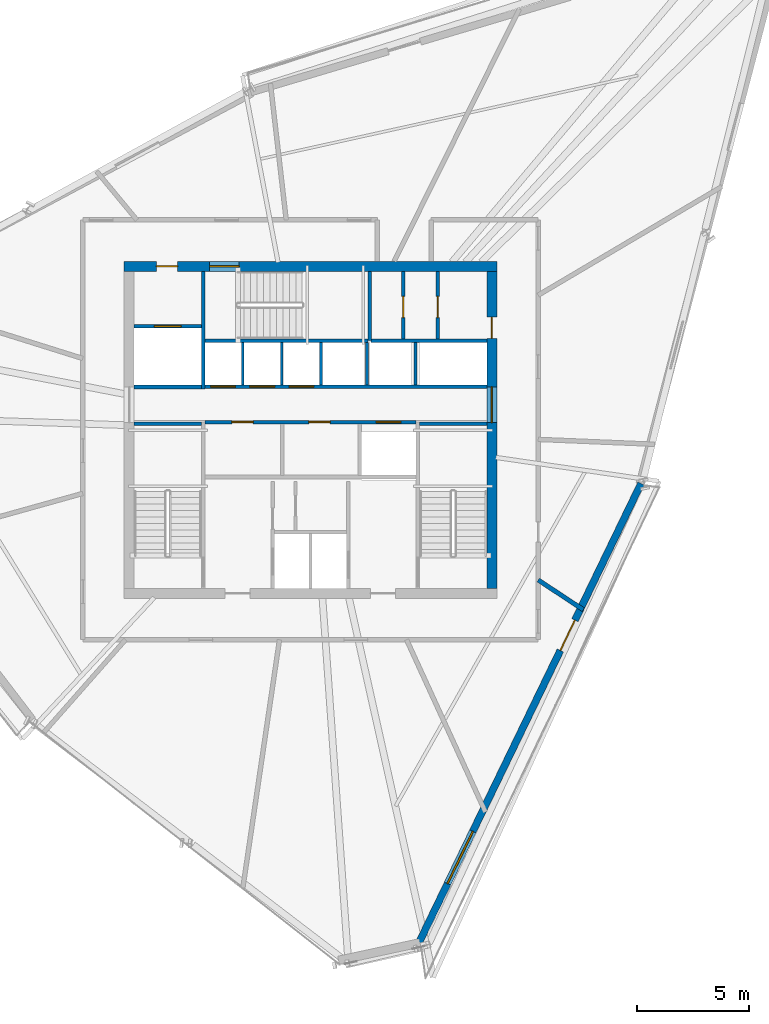
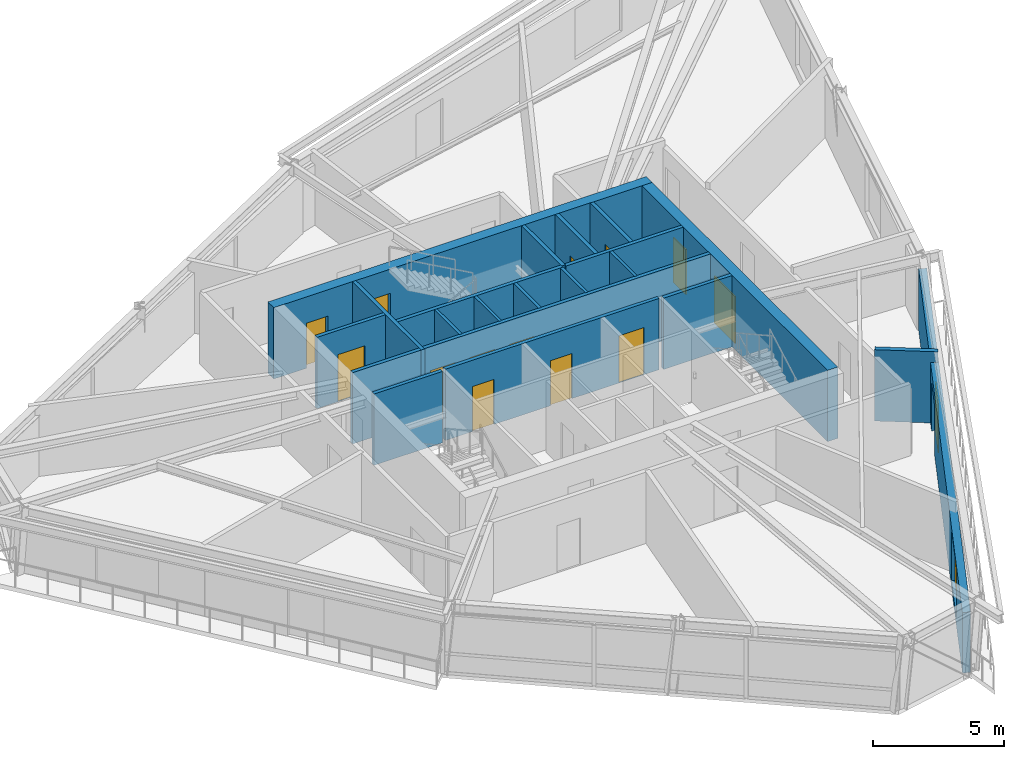
# One storey, part 9 of 14: 21 walls, 14 doors, 1 window, 15 openings.
"""IFC4 building model written with IfcOpenShell, lengths in metres."""

import ifcopenshell
import ifcopenshell.guid

model = None  # the IFC model being written
_history = None  # IfcOwnerHistory: only IFC2X3 demands one
_inside = {}  # id of a spatial element -> (the spatial element, [elements in it])
_under = {}  # id of a project, library or spatial element -> (it, [spatial elements below it])
_declared = {}  # id of a project -> (the project, [libraries it declares])
_typed = {}  # id of a type object -> (the type object, [elements of that type])
_made_of = {}  # id of a material, layer set ... -> (it, [elements and type objects made of it])


def new_model(schema):
    """Start an empty IFC model of exactly this schema.

    Asked for "IFC4X3", IfcOpenShell would pick the latest addendum, in which some entities
    have other attributes; the version numbers below select the first issue.
    IFC2X3 requires an IfcOwnerHistory on every rooted entity: one is made here for all.
    """
    global model, _history
    if schema == "IFC4X3":
        model = ifcopenshell.file(schema_version=(4, 3, 0, 0))
    else:
        model = ifcopenshell.file(schema=schema)
    _inside.clear()
    _under.clear()
    _declared.clear()
    _typed.clear()
    _made_of.clear()
    _history = None
    if model.schema == "IFC2X3":
        org = make("IfcOrganization", Name="unknown")
        user = make(
            "IfcPersonAndOrganization",
            ThePerson=make("IfcPerson", FamilyName="unknown"),
            TheOrganization=org,
        )
        app = make(
            "IfcApplication",
            ApplicationDeveloper=org,
            Version="unknown",
            ApplicationFullName="unknown",
            ApplicationIdentifier="unknown",
        )
        _history = make(
            "IfcOwnerHistory",
            OwningUser=user,
            OwningApplication=app,
            ChangeAction="ADDED",
            CreationDate=0,
        )
    return model


def make(cls, **values):
    """One entity of the class cls with the attributes given. An attribute that is None is left unset."""
    return model.create_entity(
        cls, **{name: value for name, value in values.items() if value is not None}
    )


def rooted(cls, **values):
    """An entity with a GlobalId (a new one), such as an element, a storey or a relation."""
    return make(cls, GlobalId=ifcopenshell.guid.new(), OwnerHistory=_history, **values)


def si_unit(unit_type, name, prefix=None):
    """IfcSIUnit, for example si_unit("LENGTHUNIT", "METRE", prefix="MILLI")."""
    return make("IfcSIUnit", UnitType=unit_type, Prefix=prefix, Name=name)


def assignment(units):
    """IfcUnitAssignment: the units of a project."""
    return None if units is None else make("IfcUnitAssignment", Units=units)


def point(xyz):
    """IfcCartesianPoint."""
    return None if xyz is None else make("IfcCartesianPoint", Coordinates=xyz)


def direction(xyz):
    """IfcDirection."""
    return None if xyz is None else make("IfcDirection", DirectionRatios=xyz)


def frame(location, z_axis=None, x_axis=None):
    """IfcAxis2Placement3D, a coordinate frame: its origin and axes. An axis left out is left unset."""
    return make(
        "IfcAxis2Placement3D",
        Location=point(location),
        Axis=direction(z_axis),
        RefDirection=direction(x_axis),
    )


def frame_2d(location, x_axis=None):
    """IfcAxis2Placement2D, a coordinate frame in the plane: its origin and x axis."""
    return make(
        "IfcAxis2Placement2D", Location=point(location), RefDirection=direction(x_axis)
    )


def origin():
    """The frame at (0, 0, 0) with its axes left unset."""
    return frame((0.0, 0.0, 0.0))


def place(relative_to, where):
    """IfcLocalPlacement: puts the frame where relative to a parent placement (None: the world)."""
    return make(
        "IfcLocalPlacement", PlacementRelTo=relative_to, RelativePlacement=where
    )


def context(
    kind, dimensions, precision=None, world=None, true_north=None, identifier=None
):
    """IfcGeometricRepresentationContext, for example the 3D "Model" context."""
    return make(
        "IfcGeometricRepresentationContext",
        ContextIdentifier=identifier,
        ContextType=kind,
        CoordinateSpaceDimension=dimensions,
        Precision=precision,
        WorldCoordinateSystem=world,
        TrueNorth=true_north,
    )


def subcontext(parent, identifier, kind, view, scale=None):
    """IfcGeometricRepresentationSubContext, for example "Body" below "Model"."""
    return make(
        "IfcGeometricRepresentationSubContext",
        ContextIdentifier=identifier,
        ContextType=kind,
        ParentContext=parent,
        TargetScale=scale,
        TargetView=view,
    )


def project(units=None, contexts=None):
    """IfcProject with its units and contexts."""
    return rooted(
        "IfcProject",
        Name="project",
        RepresentationContexts=contexts,
        UnitsInContext=assignment(units),
    )


def spatial(cls, under=None, at=None, **own):
    """A site, building, storey or space (cls), placed at a placement, below another one or the project."""
    s = rooted(cls, ObjectPlacement=at, **own)
    if under is not None:
        _under.setdefault(under.id(), (under, []))[1].append(s)
    return s


def profile(cls, at=None, kind="AREA", **sizes):
    """A parametric profile (cls). Its sizes go by their IFC names, for example OverallWidth=200.0."""
    return make(cls, ProfileType=kind, Position=at, **sizes)


def rectangle(**sizes):
    """IfcRectangleProfileDef."""
    return profile("IfcRectangleProfileDef", **sizes)


def extrude(swept, where, along, depth):
    """IfcExtrudedAreaSolid: the profile swept, set in the frame where, extruded along a direction by depth."""
    return make(
        "IfcExtrudedAreaSolid",
        SweptArea=swept,
        Position=where,
        ExtrudedDirection=direction(along),
        Depth=depth,
    )


def shape(context_of_items, identifier, shape_type, items):
    """IfcShapeRepresentation: the items that make up one representation, for example the "Body"."""
    return make(
        "IfcShapeRepresentation",
        ContextOfItems=context_of_items,
        RepresentationIdentifier=identifier,
        RepresentationType=shape_type,
        Items=items,
    )


def source(mapping_origin, context_of_items, identifier, shape_type, items):
    """IfcRepresentationMap: a shape defined once, which mapped items show again and again."""
    return make(
        "IfcRepresentationMap",
        MappingOrigin=mapping_origin,
        MappedRepresentation=shape(context_of_items, identifier, shape_type, items),
    )


def transform(
    local_origin,
    x_axis=None,
    y_axis=None,
    z_axis=None,
    scale=None,
    scale2=None,
    scale3=None,
    uniform=True,
):
    """IfcCartesianTransformationOperator3D, or its non-uniform kind. x_axis, y_axis, z_axis: its Axis1, 2, 3."""
    if uniform:
        return make(
            "IfcCartesianTransformationOperator3D",
            Axis1=direction(x_axis),
            Axis2=direction(y_axis),
            LocalOrigin=point(local_origin),
            Scale=scale,
            Axis3=direction(z_axis),
        )
    return make(
        "IfcCartesianTransformationOperator3DnonUniform",
        Axis1=direction(x_axis),
        Axis2=direction(y_axis),
        LocalOrigin=point(local_origin),
        Scale=scale,
        Axis3=direction(z_axis),
        Scale2=scale2,
        Scale3=scale3,
    )


def mapped(mapping_source, mapping_target):
    """IfcMappedItem: shows the shape of a source again, moved by a transform."""
    return make(
        "IfcMappedItem", MappingSource=mapping_source, MappingTarget=mapping_target
    )


def material(Name=None, Category=None):
    """IfcMaterial."""
    return make("IfcMaterial", Name=Name, Category=Category)


def layer(
    of_material, thickness, ventilated=None, Name=None, Category=None, Priority=None
):
    """IfcMaterialLayer: one layer of a wall or slab, of a material (None: an air gap)."""
    return make(
        "IfcMaterialLayer",
        Material=of_material,
        LayerThickness=thickness,
        IsVentilated=ventilated,
        Name=Name,
        Category=Category,
        Priority=Priority,
    )


def layer_set(layers, Name=None):
    """IfcMaterialLayerSet."""
    return make("IfcMaterialLayerSet", MaterialLayers=layers, LayerSetName=Name)


def made_of(thing, what):
    """Note that an element or type object is made of a material, layer set ...; save() writes the relation."""
    if what is not None:
        _made_of.setdefault(what.id(), (what, []))[1].append(thing)
    return thing


def type_object(cls, material=None, **own):
    """A type object (cls), such as IfcWallType, which elements share."""
    return made_of(rooted(cls, **own), material)


def type_shapes(of_type, sources):
    """Give a type object the sources (RepresentationMaps) that its elements show as mapped items."""
    of_type.RepresentationMaps = sources


def element(
    cls,
    number,
    at=None,
    inside=None,
    cuts=None,
    type_object=None,
    material=None,
    context=None,
    identifier="Body",
    shape_type=None,
    held_by="IfcProductDefinitionShape",
    body=None,
    shapes=None,
    **own,
):
    """One element of the class cls, such as IfcWall. Its Tag is "e" and its number.

    at: its placement. inside: the storey or other place that contains it. cuts: it is an
    opening in that element (IfcRelVoidsElement). A single representation is given by context,
    identifier, shape_type and body (its items); several are given by shapes. held_by: the class
    of the entity that holds the representations. save() writes the other relations.
    """
    e = rooted(cls, Tag="e%d" % number, ObjectPlacement=at, **own)
    if body is not None:
        shapes = [shape(context, identifier, shape_type, body)]
    if shapes is not None:
        e.Representation = make(held_by, Representations=shapes)
    if inside is not None:
        _inside.setdefault(inside.id(), (inside, []))[1].append(e)
    if cuts is not None:
        rooted(
            "IfcRelVoidsElement", RelatingBuildingElement=cuts, RelatedOpeningElement=e
        )
    if type_object is not None:
        _typed.setdefault(type_object.id(), (type_object, []))[1].append(e)
    return made_of(e, material)


def fill(opening, filler):
    """IfcRelFillsElement: the door or window that sits in an opening."""
    return rooted(
        "IfcRelFillsElement",
        RelatingOpeningElement=opening,
        RelatedBuildingElement=filler,
    )


def aggregate(whole, parts):
    """IfcRelAggregates: a whole, such as a stair, and the parts it consists of."""
    return rooted("IfcRelAggregates", RelatingObject=whole, RelatedObjects=parts)


def save(model, path):
    """Write the relations noted so far, then the file.

    IfcRelAggregates (storeys below a building ...), IfcRelContainedInSpatialStructure (elements
    in a storey), IfcRelDefinesByType, IfcRelAssociatesMaterial and IfcRelDeclares: one each for
    every whole, place, type object, material and project.
    """
    for whole, parts in _under.values():
        aggregate(whole, parts)
    for where, things in _inside.values():
        rooted(
            "IfcRelContainedInSpatialStructure",
            RelatedElements=things,
            RelatingStructure=where,
        )
    for kind, things in _typed.values():
        rooted("IfcRelDefinesByType", RelatedObjects=things, RelatingType=kind)
    for what, things in _made_of.values():
        rooted("IfcRelAssociatesMaterial", RelatedObjects=things, RelatingMaterial=what)
    for by, libraries in _declared.values():
        rooted("IfcRelDeclares", RelatingContext=by, RelatedDefinitions=libraries)
    model.write(path)


model = new_model("IFC4")

# Units and contexts
model_context = context("Model", 3, precision=1e-05, world=origin(), true_north=direction((0.0, 1.0)))
body_context = subcontext(model_context, "Body", "Model", "MODEL_VIEW")
ifc_project = project(units=[si_unit("LENGTHUNIT", "METRE"), si_unit("AREAUNIT", "SQUARE_METRE"), si_unit("VOLUMEUNIT", "CUBIC_METRE"), si_unit("PLANEANGLEUNIT", "RADIAN"), si_unit("MASSUNIT", "GRAM", prefix="KILO")], contexts=[model_context])

# Site, building, storey
site_placement = place(None, origin())
site = spatial("IfcSite", under=ifc_project, at=site_placement, CompositionType="ELEMENT")
building_placement = place(site_placement, origin())
building = spatial("IfcBuilding", under=site, at=building_placement, Name="Olszyna Solenne Hotel", CompositionType="ELEMENT")
storey_placement = place(building_placement, frame((0.0, 0.0, 223.800048828125)))
storey = spatial("IfcBuildingStorey", under=building, at=storey_placement, Name="L59", CompositionType="ELEMENT", Elevation=223.800048828125)

# Wall, openings, doors
ifc_material_1 = material(Name="Concrete C50/60", Category="concrete")
ifc_layer_1 = layer(ifc_material_1, 0.449951171875, Name="Concrete C50/60")
ifc_layer_set_1 = layer_set([ifc_layer_1], Name="Concrete C50/60")
wall_type_1 = type_object("IfcWallType", Name="WL-CR450", PredefinedType="SHEAR", material=ifc_layer_set_1)
wall_1_placement = place(storey_placement, frame((29.64990234375, 33.925048828125, 0.0), z_axis=(0.0, 0.0, 1.0), x_axis=(1.0, 0.0, 0.0)))
wall_1 = element("IfcWall", 1, at=wall_1_placement, inside=storey, type_object=wall_type_1, Name="Core shear wall WL-CR450 CRW-L59-N", PredefinedType="SHEAR", context=body_context, shape_type="SweptSolid", body=[
    extrude(rectangle(XDim=16.7001953125, YDim=0.449951171875, at=frame_2d((8.35009765625, 0.0))), origin(), (0.0, 0.0, 1.0), 3.329833984375),
])
opening_1_placement = place(wall_1_placement, frame((1.449951171875, 0.0, 0.0)))
opening_1 = element("IfcOpeningElement", 2, at=opening_1_placement, cuts=wall_1, Name="Opening SVD-L59-01", PredefinedType="OPENING", context=body_context, shape_type="SweptSolid", body=[
    extrude(rectangle(XDim=0.949951171875, YDim=2.10009765625, at=frame_2d((0.47509765625, 1.050048828125))), frame((0.0, 0.23486328125, 0.0), z_axis=(0.0, -1.0, 0.0), x_axis=(1.0, 0.0, 0.0)), (0.0, 0.0, 1.0), 0.469970703125),
])
opening_2_placement = place(wall_1_placement, frame((3.830078125, 0.0, 0.0)))
opening_2 = element("IfcOpeningElement", 3, at=opening_2_placement, cuts=wall_1, Name="Opening STD-L59-03", PredefinedType="OPENING", context=body_context, shape_type="SweptSolid", body=[
    extrude(rectangle(XDim=1.320068359375, YDim=2.199951171875, at=frame_2d((0.66015625, 1.10009765625))), frame((0.0, 0.23486328125, 0.0), z_axis=(0.0, -1.0, 0.0), x_axis=(1.0, 0.0, 0.0)), (0.0, 0.0, 1.0), 0.469970703125),
])
ifc_material_2 = material(Name="Steel S355J2", Category="steel")
door_type_1 = type_object("IfcDoorType", Name="DR-ST1", OperationType="NOTDEFINED", PredefinedType="DOOR", material=ifc_material_2)
shared_shape_1 = source(origin(), body_context, "Body", "SweptSolid", [
    extrude(rectangle(XDim=1.320068359375, YDim=2.199951171875, at=frame_2d((0.66015625, 1.10009765625))), frame((0.0, 0.02490234375, 0.0), z_axis=(0.0, -1.0, 0.0), x_axis=(1.0, 0.0, 0.0)), (0.0, 0.0, 1.0), 0.050048828125),
])
type_shapes(door_type_1, [shared_shape_1])
door_1_placement = place(opening_2_placement, origin())
door_1 = element("IfcDoor", 4, at=door_1_placement, inside=storey, type_object=door_type_1, Name="Pressurised exit stair ST3 fire door STD-L59-03", OperationType="SINGLE_SWING_RIGHT", OverallHeight=2.199951171875, OverallWidth=1.320068359375, PredefinedType="DOOR", context=body_context, shape_type="MappedRepresentation", body=[
    mapped(shared_shape_1, transform((0.0, 0.0, 0.0), x_axis=(1.0, 0.0, 0.0), y_axis=(0.0, 1.0, 0.0), z_axis=(0.0, 0.0, 1.0), scale=1.0)),
])
fill(opening_2, door_1)
door_type_2 = type_object("IfcDoorType", Name="DR-SV1", OperationType="NOTDEFINED", PredefinedType="DOOR", material=ifc_material_2)
shared_shape_2 = source(origin(), body_context, "Body", "SweptSolid", [
    extrude(rectangle(XDim=0.949951171875, YDim=2.10009765625, at=frame_2d((0.47509765625, 1.050048828125))), frame((0.0, 0.02490234375, 0.0), z_axis=(0.0, -1.0, 0.0), x_axis=(1.0, 0.0, 0.0)), (0.0, 0.0, 1.0), 0.050048828125),
])
type_shapes(door_type_2, [shared_shape_2])
door_2_placement = place(opening_1_placement, origin())
door_2 = element("IfcDoor", 5, at=door_2_placement, inside=storey, type_object=door_type_2, Name="Service lift lobby fire door SVD-L59-01", OperationType="SINGLE_SWING_LEFT", OverallHeight=2.10009765625, OverallWidth=0.949951171875, PredefinedType="DOOR", context=body_context, shape_type="MappedRepresentation", body=[
    mapped(shared_shape_2, transform((0.0, 0.0, 0.0), x_axis=(1.0, 0.0, 0.0), y_axis=(0.0, 1.0, 0.0), z_axis=(0.0, 0.0, 1.0), scale=1.0)),
])
fill(opening_1, door_2)

wall_2_placement = place(storey_placement, frame((46.125, 33.699951171875, 0.0), z_axis=(0.0, 0.0, 1.0), x_axis=(0.0, -1.0, 0.0)))
wall_2 = element("IfcWall", 6, at=wall_2_placement, inside=storey, type_object=wall_type_1, Name="Core shear wall WL-CR450 CRW-L59-E", PredefinedType="SHEAR", context=body_context, shape_type="SweptSolid", body=[
    extrude(rectangle(XDim=14.199951171875, YDim=0.449951171875, at=frame_2d((7.10009765625, 0.0))), origin(), (0.0, 0.0, 1.0), 3.329833984375),
])
opening_3_placement = place(wall_2_placement, frame((5.179931640625, 0.0, 0.0)))
opening_3 = element("IfcOpeningElement", 7, at=opening_3_placement, cuts=wall_2, Name="Opening LHD-L59-E", PredefinedType="OPENING", context=body_context, shape_type="SweptSolid", body=[
    extrude(rectangle(XDim=1.60009765625, YDim=2.199951171875, at=frame_2d((0.800048828125, 1.10009765625))), frame((0.0, 0.23486328125, 0.0), z_axis=(0.0, -1.0, 0.0), x_axis=(1.0, 0.0, 0.0)), (0.0, 0.0, 1.0), 0.469970703125),
])
opening_4_placement = place(wall_2_placement, frame((2.050048828125, 0.0, 0.0)))
opening_4 = element("IfcOpeningElement", 8, at=opening_4_placement, cuts=wall_2, Name="Opening SVD-L59-BE", PredefinedType="OPENING", context=body_context, shape_type="SweptSolid", body=[
    extrude(rectangle(XDim=0.949951171875, YDim=2.10009765625, at=frame_2d((0.47509765625, 1.050048828125))), frame((0.0, 0.23486328125, 0.0), z_axis=(0.0, -1.0, 0.0), x_axis=(1.0, 0.0, 0.0)), (0.0, 0.0, 1.0), 0.469970703125),
])
door_3_placement = place(opening_4_placement, origin())
door_3 = element("IfcDoor", 9, at=door_3_placement, inside=storey, type_object=door_type_2, Name="Housekeeping core fire door SVD-L59-BE", OperationType="SINGLE_SWING_RIGHT", OverallHeight=2.10009765625, OverallWidth=0.949951171875, PredefinedType="DOOR", context=body_context, shape_type="MappedRepresentation", body=[
    mapped(shared_shape_2, transform((0.0, 0.0, 0.0), x_axis=(1.0, 0.0, 0.0), y_axis=(0.0, 1.0, 0.0), z_axis=(0.0, 0.0, 1.0), scale=1.0)),
])
fill(opening_4, door_3)
ifc_material_3 = material(Name="Timber hardwood", Category="wood")
door_type_3 = type_object("IfcDoorType", Name="DR-CR1", OperationType="DOUBLE_DOOR_SINGLE_SWING", PredefinedType="DOOR", material=ifc_material_3)
shared_shape_3 = source(origin(), body_context, "Body", "SweptSolid", [
    extrude(rectangle(XDim=1.60009765625, YDim=2.199951171875, at=frame_2d((0.800048828125, 1.10009765625))), frame((0.0, 0.02490234375, 0.0), z_axis=(0.0, -1.0, 0.0), x_axis=(1.0, 0.0, 0.0)), (0.0, 0.0, 1.0), 0.050048828125),
])
type_shapes(door_type_3, [shared_shape_3])
door_4_placement = place(opening_3_placement, origin())
door_4 = element("IfcDoor", 10, at=door_4_placement, inside=storey, type_object=door_type_3, Name="Passenger lift lobby East fire door LHD-L59-E", OperationType="DOUBLE_DOOR_SINGLE_SWING", OverallHeight=2.199951171875, OverallWidth=1.60009765625, PredefinedType="DOOR", context=body_context, shape_type="MappedRepresentation", body=[
    mapped(shared_shape_3, transform((0.0, 0.0, 0.0), x_axis=(1.0, 0.0, 0.0), y_axis=(0.0, 1.0, 0.0), z_axis=(0.0, 0.0, 1.0), scale=1.0)),
])
fill(opening_3, door_4)

# Wall, openings, door, window
ifc_material_4 = material(Name="Precast concrete C45/55", Category="concrete")
ifc_layer_2 = layer(ifc_material_4, 0.320068359375, Name="Precast concrete C45/55")
ifc_layer_set_2 = layer_set([ifc_layer_2], Name="Precast concrete C45/55")
wall_type_2 = type_object("IfcWallType", Name="WL-EX320", PredefinedType="SOLIDWALL", material=ifc_layer_set_2)
wall_3_placement = place(storey_placement, frame((52.807373046875, 24.197265625, 0.0), z_axis=(0.0, 0.0, 1.0), x_axis=(-0.435460131782, -0.900208016865, 0.0)))
wall_3 = element("IfcWall", 11, at=wall_3_placement, inside=storey, type_object=wall_type_2, Name="Exterior terracotta-precast frame wall WL-EX320 EW-L59-01", PredefinedType="SOLIDWALL", context=body_context, shape_type="SweptSolid", body=[
    extrude(rectangle(XDim=22.982177734375, YDim=0.320068359375, at=frame_2d((11.4912109375, 0.0))), origin(), (0.0, 0.0, 1.0), 2.822021484375),
])
opening_5_placement = place(wall_3_placement, frame((6.803955078125, 0.0, 0.0)))
opening_5 = element("IfcOpeningElement", 12, at=opening_5_placement, cuts=wall_3, Name="Opening LDG-L59-3", PredefinedType="OPENING", context=body_context, shape_type="SweptSolid", body=[
    extrude(rectangle(XDim=1.5, YDim=2.300048828125, at=frame_2d((0.75, 1.14990234375))), frame((0.0, 0.169921875, 0.0), z_axis=(0.0, -1.0, 0.0), x_axis=(1.0, 0.0, 0.0)), (0.0, 0.0, 1.0), 0.340087890625),
])
opening_6_placement = place(wall_3_placement, frame((17.306884765625, 0.0, 0.35205078125)))
opening_6 = element("IfcOpeningElement", 13, at=opening_6_placement, cuts=wall_3, Name="Opening WN-L59-380", PredefinedType="OPENING", context=body_context, shape_type="SweptSolid", body=[
    extrude(rectangle(XDim=2.60009765625, YDim=2.35009765625, at=frame_2d((1.300048828125, 1.175048828125))), frame((0.0, 0.169921875, 0.0), z_axis=(0.0, -1.0, 0.0), x_axis=(1.0, 0.0, 0.0)), (0.0, 0.0, 1.0), 0.340087890625),
])
ifc_material_5 = material(Name="Anodised bronze aluminium", Category="aluminium")
door_type_4 = type_object("IfcDoorType", Name="DR-LG2", OperationType="DOUBLE_DOOR_SINGLE_SWING", PredefinedType="DOOR", material=ifc_material_5)
shared_shape_4 = source(origin(), body_context, "Body", "SweptSolid", [
    extrude(rectangle(XDim=1.5, YDim=2.300048828125, at=frame_2d((0.75, 1.14990234375))), frame((0.0, 0.02490234375, 0.0), z_axis=(0.0, -1.0, 0.0), x_axis=(1.0, 0.0, 0.0)), (0.0, 0.0, 1.0), 0.050048828125),
])
type_shapes(door_type_4, [shared_shape_4])
door_5_placement = place(opening_5_placement, origin())
door_5 = element("IfcDoor", 14, at=door_5_placement, inside=storey, type_object=door_type_4, Name="Exterior loggia balcony door DR-LG2 LDG-L59-3", OperationType="DOUBLE_DOOR_SINGLE_SWING", OverallHeight=2.300048828125, OverallWidth=1.5, PredefinedType="DOOR", context=body_context, shape_type="MappedRepresentation", body=[
    mapped(shared_shape_4, transform((0.0, 0.0, 0.0), x_axis=(1.0, 0.0, 0.0), y_axis=(0.0, 1.0, 0.0), z_axis=(0.0, 0.0, 1.0), scale=1.0)),
])
fill(opening_5, door_5)
ifc_material_6 = material(Name="Low-E triple glazing", Category="glass")
window_type = type_object("IfcWindowType", Name="WN-ST1", PartitioningType="SINGLE_PANEL", PredefinedType="WINDOW", material=ifc_material_6)
shared_shape_5 = source(origin(), body_context, "Body", "SweptSolid", [
    extrude(rectangle(XDim=2.60009765625, YDim=2.35009765625, at=frame_2d((1.300048828125, 1.175048828125))), frame((0.0, 0.030029296875, 0.0), z_axis=(0.0, -1.0, 0.0), x_axis=(1.0, 0.0, 0.0)), (0.0, 0.0, 1.0), 0.06005859375),
])
type_shapes(window_type, [shared_shape_5])
window_placement = place(opening_6_placement, origin())
window = element("IfcWindow", 15, at=window_placement, inside=storey, type_object=window_type, Name="Loggia room window WN-ST1 WN-L59-380", OverallHeight=2.35009765625, OverallWidth=2.60009765625, PartitioningType="SINGLE_PANEL", PredefinedType="WINDOW", context=body_context, shape_type="MappedRepresentation", body=[
    mapped(shared_shape_5, transform((0.0, 0.0, 0.0), x_axis=(1.0, 0.0, 0.0), y_axis=(0.0, 1.0, 0.0), z_axis=(0.0, 0.0, 1.0), scale=1.0)),
])
fill(opening_6, window)

# Walls
ifc_material_7 = material(Name="Acoustic gypsum partition", Category="gypsum")
ifc_layer_3 = layer(ifc_material_7, 0.125, Name="Acoustic gypsum partition")
ifc_layer_set_3 = layer_set([ifc_layer_3], Name="Acoustic gypsum partition")
wall_type_3 = type_object("IfcWallType", Name="WL-PT125", PredefinedType="PARTITIONING", material=ifc_layer_set_3)
for number, where, z_axis, x_axis, name in (
    (16, (34.965087890625, 28.60009765625, 0.0), (0.0, 0.0, 1.0), (0.0, 1.0, 0.0), "Core shaft compartment wall CW-L59-DIVN349"),
    (17, (36.715087890625, 28.60009765625, 0.0), (0.0, 0.0, 1.0), (0.0, 1.0, 0.0), "Core shaft compartment wall CW-L59-DIVN367"),
    (18, (38.465087890625, 28.60009765625, 0.0), (0.0, 0.0, 1.0), (0.0, 1.0, 0.0), "Core shaft compartment wall CW-L59-DIVN384"),
    (19, (40.52490234375, 28.60009765625, 0.0), (0.0, 0.0, 1.0), (0.0, 1.0, 0.0), "Core shaft compartment wall CW-L59-DIVEX405"),
    (20, (42.699951171875, 28.60009765625, 0.0), (0.0, 0.0, 1.0), (0.0, 1.0, 0.0), "Core shaft compartment wall CW-L59-DIVEX427"),
):
    element("IfcWall", number, at=place(storey_placement, frame(where, z_axis=z_axis, x_axis=x_axis)), inside=storey, type_object=wall_type_3, Name=name, PredefinedType="PARTITIONING", context=body_context, shape_type="SweptSolid", body=[
        extrude(rectangle(XDim=1.919921875, YDim=0.125, at=frame_2d((0.9599609375, 0.0))), origin(), (0.0, 0.0, 1.0), 3.329833984375),
    ])
ifc_layer_4 = layer(ifc_material_7, 0.159912109375, Name="Acoustic gypsum partition")
ifc_layer_set_4 = layer_set([ifc_layer_4], Name="Acoustic gypsum partition")
wall_type_4 = type_object("IfcWallType", Name="WL-PT160", PredefinedType="PARTITIONING", material=ifc_layer_set_4)
for number, where, z_axis, x_axis, name in (
    (21, (30.10009765625, 26.8798828125, 0.0), (0.0, 0.0, 1.0), (1.0, 0.0, 0.0), "Core shaft compartment wall CW-L59-ST1N"),
    (22, (42.8798828125, 26.8798828125, 0.0), (0.0, 0.0, 1.0), (1.0, 0.0, 0.0), "Core shaft compartment wall CW-L59-ST2N"),
):
    element("IfcWall", number, at=place(storey_placement, frame(where, z_axis=z_axis, x_axis=x_axis)), inside=storey, type_object=wall_type_4, Name=name, PredefinedType="PARTITIONING", context=body_context, shape_type="SweptSolid", body=[
        extrude(rectangle(XDim=3.02001953125, YDim=0.159912109375, at=frame_2d((1.510009765625, 0.0))), origin(), (0.0, 0.0, 1.0), 3.329833984375),
    ])
wall_4_placement = place(storey_placement, frame((33.280029296875, 30.60009765625, 0.0), z_axis=(0.0, 0.0, 1.0), x_axis=(1.0, 0.0, 0.0)))
element("IfcWall", 23, at=wall_4_placement, inside=storey, type_object=wall_type_4, Name="Core shaft compartment wall CW-L59-ST3S", PredefinedType="PARTITIONING", context=body_context, shape_type="SweptSolid", body=[
    extrude(rectangle(XDim=7.300048828125, YDim=0.159912109375, at=frame_2d((3.64990234375, 0.0))), origin(), (0.0, 0.0, 1.0), 3.329833984375),
])
wall_5_placement = place(storey_placement, frame((40.659912109375, 30.60009765625, 0.0), z_axis=(0.0, 0.0, 1.0), x_axis=(0.0, 1.0, 0.0)))
element("IfcWall", 24, at=wall_5_placement, inside=storey, type_object=wall_type_4, Name="Core shaft compartment wall CW-L59-ST3E", PredefinedType="PARTITIONING", context=body_context, shape_type="SweptSolid", body=[
    extrude(rectangle(XDim=3.099853515625, YDim=0.159912109375, at=frame_2d((1.5498046875, 0.0))), origin(), (0.0, 0.0, 1.0), 3.329833984375),
])
wall_6_placement = place(storey_placement, frame((30.10009765625, 28.52001953125, 0.0), z_axis=(0.0, 0.0, 1.0), x_axis=(1.0, 0.0, 0.0)))
element("IfcWall", 25, at=wall_6_placement, inside=storey, type_object=wall_type_4, Name="Core shaft compartment wall CW-L59-SV1S", PredefinedType="PARTITIONING", context=body_context, shape_type="SweptSolid", body=[
    extrude(rectangle(XDim=3.02001953125, YDim=0.159912109375, at=frame_2d((1.510009765625, 0.0))), origin(), (0.0, 0.0, 1.0), 3.329833984375),
])
wall_7_placement = place(storey_placement, frame((33.199951171875, 28.43994140625, 0.0), z_axis=(0.0, 0.0, 1.0), x_axis=(0.0, 1.0, 0.0)))
element("IfcWall", 26, at=wall_7_placement, inside=storey, type_object=wall_type_4, Name="Core shaft compartment wall CW-L59-SV1E", PredefinedType="PARTITIONING", context=body_context, shape_type="SweptSolid", body=[
    extrude(rectangle(XDim=5.260009765625, YDim=0.159912109375, at=frame_2d((2.6298828125, 0.0))), origin(), (0.0, 0.0, 1.0), 3.329833984375),
])

# Wall, opening, door
wall_8_placement = place(storey_placement, frame((30.10009765625, 31.239990234375, 0.0), z_axis=(0.0, 0.0, 1.0), x_axis=(1.0, 0.0, 0.0)))
wall_8 = element("IfcWall", 27, at=wall_8_placement, inside=storey, type_object=wall_type_4, Name="Core shaft compartment wall CW-L59-SV1N", PredefinedType="PARTITIONING", context=body_context, shape_type="SweptSolid", body=[
    extrude(rectangle(XDim=3.02001953125, YDim=0.159912109375, at=frame_2d((1.510009765625, 0.0))), origin(), (0.0, 0.0, 1.0), 3.329833984375),
])
opening_7_placement = place(wall_8_placement, frame((0.909912109375, 0.0, 0.0)))
opening_7 = element("IfcOpeningElement", 28, at=opening_7_placement, cuts=wall_8, Name="Opening LD-L59-SV1", PredefinedType="OPENING", context=body_context, shape_type="SweptSolid", body=[
    extrude(rectangle(XDim=1.199951171875, YDim=2.199951171875, at=frame_2d((0.60009765625, 1.10009765625))), frame((0.0, 0.08984375, 0.0), z_axis=(0.0, -1.0, 0.0), x_axis=(1.0, 0.0, 0.0)), (0.0, 0.0, 1.0), 0.179931640625),
])
door_type_5 = type_object("IfcDoorType", Name="LD-FF1", OperationType="DOUBLE_DOOR_SLIDING", PredefinedType="DOOR", material=ifc_material_2)
shared_shape_6 = source(origin(), body_context, "Body", "SweptSolid", [
    extrude(rectangle(XDim=1.199951171875, YDim=2.199951171875, at=frame_2d((0.60009765625, 1.10009765625))), frame((0.0, 0.02490234375, 0.0), z_axis=(0.0, -1.0, 0.0), x_axis=(1.0, 0.0, 0.0)), (0.0, 0.0, 1.0), 0.050048828125),
])
type_shapes(door_type_5, [shared_shape_6])
door_6_placement = place(opening_7_placement, origin())
door_6 = element("IfcDoor", 29, at=door_6_placement, inside=storey, type_object=door_type_5, Name="Service lift SV1 sliding landing door LD-L59-SV1", OperationType="DOUBLE_DOOR_SLIDING", OverallHeight=2.199951171875, OverallWidth=1.199951171875, PredefinedType="DOOR", context=body_context, shape_type="MappedRepresentation", body=[
    mapped(shared_shape_6, transform((0.0, 0.0, 0.0), x_axis=(1.0, 0.0, 0.0), y_axis=(0.0, 1.0, 0.0), z_axis=(0.0, 0.0, 1.0), scale=1.0)),
])
fill(opening_7, door_6)

# Wall, openings, doors
wall_9_placement = place(storey_placement, frame((33.280029296875, 26.949951171875, 0.0), z_axis=(0.0, 0.0, 1.0), x_axis=(1.0, 0.0, 0.0)))
wall_9 = element("IfcWall", 30, at=wall_9_placement, inside=storey, type_object=wall_type_4, Name="Core shaft compartment wall CW-L59-LRS", PredefinedType="PARTITIONING", context=body_context, shape_type="SweptSolid", body=[
    extrude(rectangle(XDim=9.43994140625, YDim=0.159912109375, at=frame_2d((4.719970703125, 0.0))), origin(), (0.0, 0.0, 1.0), 3.329833984375),
])
opening_8_placement = place(wall_9_placement, frame((1.199951171875, 0.0, 0.0)))
opening_8 = element("IfcOpeningElement", 31, at=opening_8_placement, cuts=wall_9, Name="Opening SVD-L59-L71", PredefinedType="OPENING", context=body_context, shape_type="SweptSolid", body=[
    extrude(rectangle(XDim=0.949951171875, YDim=2.10009765625, at=frame_2d((0.47509765625, 1.050048828125))), frame((0.0, 0.08984375, 0.0), z_axis=(0.0, -1.0, 0.0), x_axis=(1.0, 0.0, 0.0)), (0.0, 0.0, 1.0), 0.179931640625),
])
opening_9_placement = place(wall_9_placement, frame((4.64990234375, 0.0, 0.0)))
opening_9 = element("IfcOpeningElement", 32, at=opening_9_placement, cuts=wall_9, Name="Opening SVD-L59-L72", PredefinedType="OPENING", context=body_context, shape_type="SweptSolid", body=[
    extrude(rectangle(XDim=0.949951171875, YDim=2.10009765625, at=frame_2d((0.47509765625, 1.050048828125))), frame((0.0, 0.08984375, 0.0), z_axis=(0.0, -1.0, 0.0), x_axis=(1.0, 0.0, 0.0)), (0.0, 0.0, 1.0), 0.179931640625),
])
opening_10_placement = place(wall_9_placement, frame((7.669921875, 0.0, 0.0)))
opening_10 = element("IfcOpeningElement", 33, at=opening_10_placement, cuts=wall_9, Name="Opening LD-L59-PL5", PredefinedType="OPENING", context=body_context, shape_type="SweptSolid", body=[
    extrude(rectangle(XDim=1.10009765625, YDim=2.199951171875, at=frame_2d((0.550048828125, 1.10009765625))), frame((0.0, 0.08984375, 0.0), z_axis=(0.0, -1.0, 0.0), x_axis=(1.0, 0.0, 0.0)), (0.0, 0.0, 1.0), 0.179931640625),
])
door_7_placement = place(opening_8_placement, origin())
door_7 = element("IfcDoor", 34, at=door_7_placement, inside=storey, type_object=door_type_2, Name="Recaptured core room fire door SVD-L59-L71", OperationType="SINGLE_SWING_LEFT", OverallHeight=2.10009765625, OverallWidth=0.949951171875, PredefinedType="DOOR", context=body_context, shape_type="MappedRepresentation", body=[
    mapped(shared_shape_2, transform((0.0, 0.0, 0.0), x_axis=(1.0, 0.0, 0.0), y_axis=(0.0, 1.0, 0.0), z_axis=(0.0, 0.0, 1.0), scale=1.0)),
])
fill(opening_8, door_7)
door_8_placement = place(opening_9_placement, origin())
door_8 = element("IfcDoor", 35, at=door_8_placement, inside=storey, type_object=door_type_2, Name="Recaptured core room fire door SVD-L59-L72", OperationType="SINGLE_SWING_RIGHT", OverallHeight=2.10009765625, OverallWidth=0.949951171875, PredefinedType="DOOR", context=body_context, shape_type="MappedRepresentation", body=[
    mapped(shared_shape_2, transform((0.0, 0.0, 0.0), x_axis=(1.0, 0.0, 0.0), y_axis=(0.0, 1.0, 0.0), z_axis=(0.0, 0.0, 1.0), scale=1.0)),
])
fill(opening_9, door_8)
door_type_6 = type_object("IfcDoorType", Name="LD-P1", OperationType="DOUBLE_DOOR_SLIDING", PredefinedType="DOOR", material=ifc_material_2)
shared_shape_7 = source(origin(), body_context, "Body", "SweptSolid", [
    extrude(rectangle(XDim=1.10009765625, YDim=2.199951171875, at=frame_2d((0.550048828125, 1.10009765625))), frame((0.0, 0.02490234375, 0.0), z_axis=(0.0, -1.0, 0.0), x_axis=(1.0, 0.0, 0.0)), (0.0, 0.0, 1.0), 0.050048828125),
])
type_shapes(door_type_6, [shared_shape_7])
door_9_placement = place(opening_10_placement, origin())
door_9 = element("IfcDoor", 36, at=door_9_placement, inside=storey, type_object=door_type_6, Name="Passenger lift PL5 sliding landing door LD-L59-PL5", OperationType="DOUBLE_DOOR_SLIDING", OverallHeight=2.199951171875, OverallWidth=1.10009765625, PredefinedType="DOOR", context=body_context, shape_type="MappedRepresentation", body=[
    mapped(shared_shape_7, transform((0.0, 0.0, 0.0), x_axis=(1.0, 0.0, 0.0), y_axis=(0.0, 1.0, 0.0), z_axis=(0.0, 0.0, 1.0), scale=1.0)),
])
fill(opening_10, door_9)

wall_10_placement = place(storey_placement, frame((33.280029296875, 28.5400390625, 0.0), z_axis=(0.0, 0.0, 1.0), x_axis=(1.0, 0.0, 0.0)))
wall_10 = element("IfcWall", 37, at=wall_10_placement, inside=storey, type_object=wall_type_4, Name="Core shaft compartment wall CW-L59-LRN", PredefinedType="PARTITIONING", context=body_context, shape_type="SweptSolid", body=[
    extrude(rectangle(XDim=12.619873046875, YDim=0.159912109375, at=frame_2d((6.31005859375, 0.0))), origin(), (0.0, 0.0, 1.0), 3.329833984375),
])
opening_11_placement = place(wall_10_placement, frame((0.260009765625, 0.0, 0.0)))
opening_11 = element("IfcOpeningElement", 38, at=opening_11_placement, cuts=wall_10, Name="Opening LD-L59-PL6", PredefinedType="OPENING", context=body_context, shape_type="SweptSolid", body=[
    extrude(rectangle(XDim=1.10009765625, YDim=2.199951171875, at=frame_2d((0.550048828125, 1.10009765625))), frame((0.0, 0.08984375, 0.0), z_axis=(0.0, -1.0, 0.0), x_axis=(1.0, 0.0, 0.0)), (0.0, 0.0, 1.0), 0.179931640625),
])
opening_12_placement = place(wall_10_placement, frame((2.010009765625, 0.0, 0.0)))
opening_12 = element("IfcOpeningElement", 39, at=opening_12_placement, cuts=wall_10, Name="Opening LD-L59-PL7", PredefinedType="OPENING", context=body_context, shape_type="SweptSolid", body=[
    extrude(rectangle(XDim=1.10009765625, YDim=2.199951171875, at=frame_2d((0.550048828125, 1.10009765625))), frame((0.0, 0.08984375, 0.0), z_axis=(0.0, -1.0, 0.0), x_axis=(1.0, 0.0, 0.0)), (0.0, 0.0, 1.0), 0.179931640625),
])
opening_13_placement = place(wall_10_placement, frame((3.760009765625, 0.0, 0.0)))
opening_13 = element("IfcOpeningElement", 40, at=opening_13_placement, cuts=wall_10, Name="Opening LD-L59-PL8", PredefinedType="OPENING", context=body_context, shape_type="SweptSolid", body=[
    extrude(rectangle(XDim=1.10009765625, YDim=2.199951171875, at=frame_2d((0.550048828125, 1.10009765625))), frame((0.0, 0.08984375, 0.0), z_axis=(0.0, -1.0, 0.0), x_axis=(1.0, 0.0, 0.0)), (0.0, 0.0, 1.0), 0.179931640625),
])
door_10_placement = place(opening_11_placement, origin())
door_10 = element("IfcDoor", 41, at=door_10_placement, inside=storey, type_object=door_type_6, Name="Passenger lift PL6 sliding landing door LD-L59-PL6", OperationType="DOUBLE_DOOR_SLIDING", OverallHeight=2.199951171875, OverallWidth=1.10009765625, PredefinedType="DOOR", context=body_context, shape_type="MappedRepresentation", body=[
    mapped(shared_shape_7, transform((0.0, 0.0, 0.0), x_axis=(1.0, 0.0, 0.0), y_axis=(0.0, 1.0, 0.0), z_axis=(0.0, 0.0, 1.0), scale=1.0)),
])
fill(opening_11, door_10)
door_11_placement = place(opening_12_placement, origin())
door_11 = element("IfcDoor", 42, at=door_11_placement, inside=storey, type_object=door_type_6, Name="Passenger lift PL7 sliding landing door LD-L59-PL7", OperationType="DOUBLE_DOOR_SLIDING", OverallHeight=2.199951171875, OverallWidth=1.10009765625, PredefinedType="DOOR", context=body_context, shape_type="MappedRepresentation", body=[
    mapped(shared_shape_7, transform((0.0, 0.0, 0.0), x_axis=(1.0, 0.0, 0.0), y_axis=(0.0, 1.0, 0.0), z_axis=(0.0, 0.0, 1.0), scale=1.0)),
])
fill(opening_12, door_11)
door_12_placement = place(opening_13_placement, origin())
door_12 = element("IfcDoor", 43, at=door_12_placement, inside=storey, type_object=door_type_6, Name="Passenger lift PL8 sliding landing door LD-L59-PL8", OperationType="DOUBLE_DOOR_SLIDING", OverallHeight=2.199951171875, OverallWidth=1.10009765625, PredefinedType="DOOR", context=body_context, shape_type="MappedRepresentation", body=[
    mapped(shared_shape_7, transform((0.0, 0.0, 0.0), x_axis=(1.0, 0.0, 0.0), y_axis=(0.0, 1.0, 0.0), z_axis=(0.0, 0.0, 1.0), scale=1.0)),
])
fill(opening_13, door_12)

# Wall
wall_11_placement = place(storey_placement, frame((40.719970703125, 30.60009765625, 0.0), z_axis=(0.0, 0.0, 1.0), x_axis=(1.0, 0.0, 0.0)))
element("IfcWall", 44, at=wall_11_placement, inside=storey, type_object=wall_type_4, Name="Core shaft compartment wall CW-L59-LRNTOP", PredefinedType="PARTITIONING", context=body_context, shape_type="SweptSolid", body=[
    extrude(rectangle(XDim=5.179931640625, YDim=0.159912109375, at=frame_2d((2.58984375, 0.0))), origin(), (0.0, 0.0, 1.0), 3.329833984375),
])

# Wall, opening, door
wall_12_placement = place(storey_placement, frame((42.155029296875, 30.679931640625, 0.0), z_axis=(0.0, 0.0, 1.0), x_axis=(0.0, 1.0, 0.0)))
wall_12 = element("IfcWall", 45, at=wall_12_placement, inside=storey, type_object=wall_type_4, Name="Core shaft compartment wall CW-L59-BOH3A", PredefinedType="PARTITIONING", context=body_context, shape_type="SweptSolid", body=[
    extrude(rectangle(XDim=3.02001953125, YDim=0.159912109375, at=frame_2d((1.510009765625, 0.0))), origin(), (0.0, 0.0, 1.0), 3.329833984375),
])
opening_14_placement = place(wall_12_placement, frame((0.949951171875, 0.0, 0.0)))
opening_14 = element("IfcOpeningElement", 46, at=opening_14_placement, cuts=wall_12, Name="Opening SVD-L59-B31", PredefinedType="OPENING", context=body_context, shape_type="SweptSolid", body=[
    extrude(rectangle(XDim=0.949951171875, YDim=2.10009765625, at=frame_2d((0.47509765625, 1.050048828125))), frame((0.0, 0.08984375, 0.0), z_axis=(0.0, -1.0, 0.0), x_axis=(1.0, 0.0, 0.0)), (0.0, 0.0, 1.0), 0.179931640625),
])
door_13_placement = place(opening_14_placement, origin())
door_13 = element("IfcDoor", 47, at=door_13_placement, inside=storey, type_object=door_type_2, Name="BOH inter-room fire door SVD-L59-B31", OperationType="SINGLE_SWING_LEFT", OverallHeight=2.10009765625, OverallWidth=0.949951171875, PredefinedType="DOOR", context=body_context, shape_type="MappedRepresentation", body=[
    mapped(shared_shape_2, transform((0.0, 0.0, 0.0), x_axis=(1.0, 0.0, 0.0), y_axis=(0.0, 1.0, 0.0), z_axis=(0.0, 0.0, 1.0), scale=1.0)),
])
fill(opening_14, door_13)

wall_13_placement = place(storey_placement, frame((43.695068359375, 30.679931640625, 0.0), z_axis=(0.0, 0.0, 1.0), x_axis=(0.0, 1.0, 0.0)))
wall_13 = element("IfcWall", 48, at=wall_13_placement, inside=storey, type_object=wall_type_4, Name="Core shaft compartment wall CW-L59-BOH3B", PredefinedType="PARTITIONING", context=body_context, shape_type="SweptSolid", body=[
    extrude(rectangle(XDim=3.02001953125, YDim=0.159912109375, at=frame_2d((1.510009765625, 0.0))), origin(), (0.0, 0.0, 1.0), 3.329833984375),
])
opening_15_placement = place(wall_13_placement, frame((0.949951171875, 0.0, 0.0)))
opening_15 = element("IfcOpeningElement", 49, at=opening_15_placement, cuts=wall_13, Name="Opening SVD-L59-B32", PredefinedType="OPENING", context=body_context, shape_type="SweptSolid", body=[
    extrude(rectangle(XDim=0.949951171875, YDim=2.10009765625, at=frame_2d((0.47509765625, 1.050048828125))), frame((0.0, 0.08984375, 0.0), z_axis=(0.0, -1.0, 0.0), x_axis=(1.0, 0.0, 0.0)), (0.0, 0.0, 1.0), 0.179931640625),
])
door_14_placement = place(opening_15_placement, origin())
door_14 = element("IfcDoor", 50, at=door_14_placement, inside=storey, type_object=door_type_2, Name="BOH inter-room fire door SVD-L59-B32", OperationType="SINGLE_SWING_LEFT", OverallHeight=2.10009765625, OverallWidth=0.949951171875, PredefinedType="DOOR", context=body_context, shape_type="MappedRepresentation", body=[
    mapped(shared_shape_2, transform((0.0, 0.0, 0.0), x_axis=(1.0, 0.0, 0.0), y_axis=(0.0, 1.0, 0.0), z_axis=(0.0, 0.0, 1.0), scale=1.0)),
])
fill(opening_15, door_14)

# Wall
ifc_layer_5 = layer(ifc_material_7, 0.199951171875, Name="Acoustic gypsum partition")
ifc_layer_set_5 = layer_set([ifc_layer_5], Name="Acoustic gypsum partition")
wall_type_5 = type_object("IfcWallType", Name="WL-PT200", PredefinedType="PARTITIONING", material=ifc_layer_set_5)
wall_14_placement = place(storey_placement, frame((48.199951171875, 19.874267578125, 0.0), z_axis=(0.0, 0.0, 1.0), x_axis=(0.834868508207, -0.550449429107, 0.0)))
element("IfcWall", 51, at=wall_14_placement, inside=storey, type_object=wall_type_5, Name="Interior acoustic partition WL-PT200 PW-L59-3289", PredefinedType="PARTITIONING", context=body_context, shape_type="SweptSolid", body=[
    extrude(rectangle(XDim=2.416259765625, YDim=0.199951171875, at=frame_2d((1.2080078125, 0.0))), origin(), (0.0, 0.0, 1.0), 3.329833984375),
])

save(model, "model.ifc")
